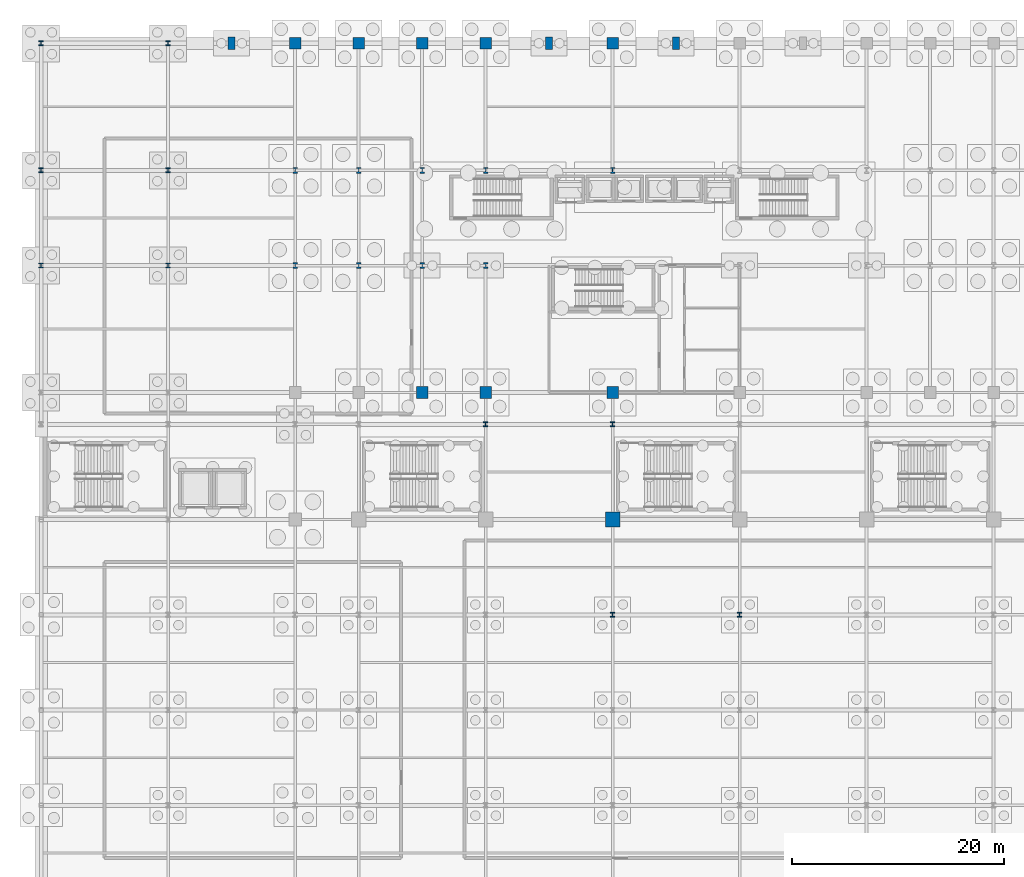
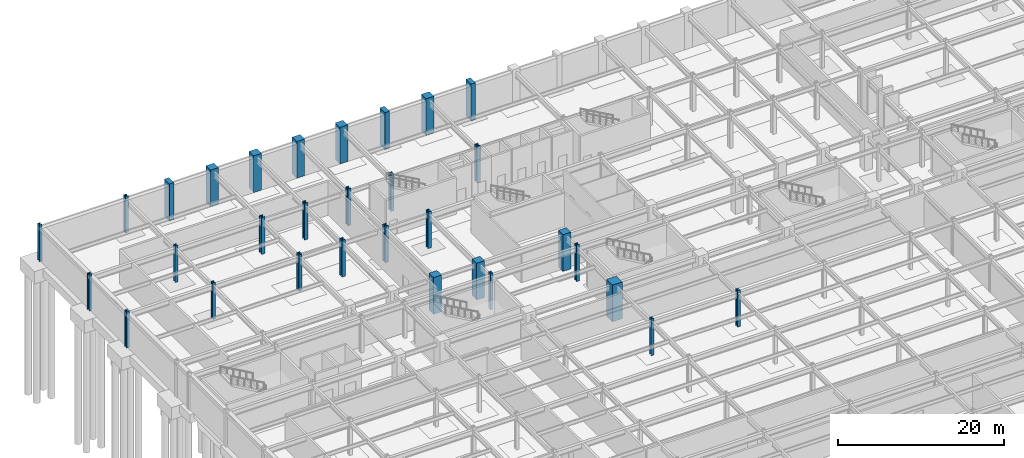
# One storey, part 14 of 47: 31 columns.
"""IFC4 building model written with IfcOpenShell, lengths in metres."""

from ifc_helpers import new_model, si_unit, direction, frame, origin, origin_2d, place, context, subcontext, project, spatial, rectangle, i_section, extrude, material, material_profile, profile_set, type_object, element, save


model = new_model("IFC4")

# Units and contexts
model_context = context("Model", 3, precision=1e-05, world=origin(), true_north=direction((0.0, 1.0)))
body_context = subcontext(model_context, "Body", "Model", "MODEL_VIEW")
ifc_project = project(units=[si_unit("LENGTHUNIT", "METRE"), si_unit("AREAUNIT", "SQUARE_METRE"), si_unit("VOLUMEUNIT", "CUBIC_METRE"), si_unit("PLANEANGLEUNIT", "RADIAN"), si_unit("MASSUNIT", "GRAM", prefix="KILO")], contexts=[model_context])

# Site, building, storey
site_placement = place(None, origin())
site = spatial("IfcSite", under=ifc_project, at=site_placement, CompositionType="ELEMENT")
building_placement = place(site_placement, origin())
building = spatial("IfcBuilding", under=site, at=building_placement, Name="Kaldorvane Square Convention Centre", CompositionType="ELEMENT")
storey_placement = place(building_placement, frame((0.0, 0.0, -5.399993896484375)))
storey = spatial("IfcBuildingStorey", under=building, at=storey_placement, Name="B01", CompositionType="ELEMENT", Elevation=-5.399993896484375)

# Columns
ifc_material_1 = material(Name="Concrete f'c = 55 MPa (Normalweight)", Category="concrete")
ifc_material_profile_1 = material_profile(ifc_material_1, rectangle(XDim=1.399993896484375, YDim=1.399993896484375, at=origin_2d()), Name="RC1400X1400")
ifc_profile_set_1 = profile_set([ifc_material_profile_1], Name="Concrete f'c = 55 MPa (Normalweight)")
column_type_1 = type_object("IfcColumnType", Name="COL-MEGA-1400", PredefinedType="COLUMN", material=ifc_profile_set_1)
column_placement = place(storey_placement, frame((54.0, 72.0, 0.0), z_axis=(0.0, 0.0, 1.0), x_axis=(1.0, 0.0, 0.0)))
element("IfcColumn", 1, at=column_placement, inside=storey, type_object=column_type_1, Name="Column MC-01 (B01)", PredefinedType="COLUMN", context=body_context, shape_type="SweptSolid", body=[
    extrude(rectangle(XDim=1.399993896484375, YDim=1.399993896484375, at=origin_2d()), origin(), (0.0, 0.0, 1.0), 5.399993896484375),
])
ifc_material_profile_2 = material_profile(ifc_material_1, rectangle(XDim=1.100006103515625, YDim=1.100006103515625, at=origin_2d()), Name="RC1100X1100")
ifc_profile_set_2 = profile_set([ifc_material_profile_2], Name="Concrete f'c = 55 MPa (Normalweight)")
column_type_2 = type_object("IfcColumnType", Name="COL-RC-1100", PredefinedType="COLUMN", material=ifc_profile_set_2)
for number, where, z_axis, x_axis, name in (
    (2, (24.0, 117.0, 0.0), (0.0, 0.0, 1.0), (1.0, 0.0, 0.0), "Column CC-01 (B01)"),
    (3, (30.0, 117.0, 0.0), (0.0, 0.0, 1.0), (1.0, 0.0, 0.0), "Column CC-01 (B01)"),
    (4, (36.0, 84.0, 0.0), (0.0, 0.0, 1.0), (1.0, 0.0, 0.0), "Column CC-01 (B01)"),
    (5, (36.0, 117.0, 0.0), (0.0, 0.0, 1.0), (1.0, 0.0, 0.0), "Column CC-01 (B01)"),
    (6, (42.0, 84.0, 0.0), (0.0, 0.0, 1.0), (1.0, 0.0, 0.0), "Column CC-01 (B01)"),
    (7, (42.0, 117.0, 0.0), (0.0, 0.0, 1.0), (1.0, 0.0, 0.0), "Column CC-01 (B01)"),
    (8, (54.0, 84.0, 0.0), (0.0, 0.0, 1.0), (1.0, 0.0, 0.0), "Column CC-01 (B01)"),
    (9, (54.0, 117.0, 0.0), (0.0, 0.0, 1.0), (1.0, 0.0, 0.0), "Column CC-01 (B01)"),
):
    element("IfcColumn", number, at=place(storey_placement, frame(where, z_axis=z_axis, x_axis=x_axis)), inside=storey, type_object=column_type_2, Name=name, PredefinedType="COLUMN", context=body_context, shape_type="SweptSolid", body=[
        extrude(rectangle(XDim=1.100006103515625, YDim=1.100006103515625, at=origin_2d()), origin(), (0.0, 0.0, 1.0), 5.399993896484375),
    ])
ifc_material_2 = material(Name="Steel ASTM A992 Gr. 50", Category="steel")
ifc_material_profile_3 = material_profile(ifc_material_2, i_section(OverallWidth=0.412200927734375, OverallDepth=0.4347991943359375, WebThickness=0.035797119140625, FlangeThickness=0.057403564453125, FilletRadius=0.0305023193359375, at=origin_2d()), Name="W14X311")
ifc_profile_set_3 = profile_set([ifc_material_profile_3], Name="Steel ASTM A992 Gr. 50")
column_type_3 = type_object("IfcColumnType", Name="COL-STL-311", PredefinedType="COLUMN", material=ifc_profile_set_3)
for number, where, z_axis, x_axis, name in (
    (10, (0.0, 96.0, 0.0), (0.0, 0.0, 1.0), (1.0, 0.0, 0.0), "Column SC-06 (B01)"),
    (11, (0.0, 105.0, 0.0), (0.0, 0.0, 1.0), (1.0, 0.0, 0.0), "Column SC-06 (B01)"),
    (12, (0.0, 117.0, 0.0), (0.0, 0.0, 1.0), (1.0, 0.0, 0.0), "Column SC-06 (B01)"),
    (13, (12.0, 96.0, 0.0), (0.0, 0.0, 1.0), (1.0, 0.0, 0.0), "Column SC-06 (B01)"),
    (14, (12.0, 105.0, 0.0), (0.0, 0.0, 1.0), (1.0, 0.0, 0.0), "Column SC-06 (B01)"),
    (15, (12.0, 117.0, 0.0), (0.0, 0.0, 1.0), (1.0, 0.0, 0.0), "Column SC-06 (B01)"),
    (16, (42.0, 81.0, 0.0), (0.0, 0.0, 1.0), (1.0, 0.0, 0.0), "Column SC-06 (B01)"),
    (17, (54.0, 63.0, 0.0), (0.0, 0.0, 1.0), (1.0, 0.0, 0.0), "Column SC-06 (B01)"),
    (18, (54.0, 81.0, 0.0), (0.0, 0.0, 1.0), (1.0, 0.0, 0.0), "Column SC-06 (B01)"),
    (19, (66.0, 63.0, 0.0), (0.0, 0.0, 1.0), (1.0, 0.0, 0.0), "Column SC-06 (B01)"),
):
    element("IfcColumn", number, at=place(storey_placement, frame(where, z_axis=z_axis, x_axis=x_axis)), inside=storey, type_object=column_type_3, Name=name, PredefinedType="COLUMN", context=body_context, shape_type="SweptSolid", body=[
        extrude(i_section(OverallWidth=0.412200927734375, OverallDepth=0.4347991943359375, WebThickness=0.035797119140625, FlangeThickness=0.057403564453125, FilletRadius=0.0305023193359375, at=origin_2d()), origin(), (0.0, 0.0, 1.0), 5.399993896484375),
    ])
ifc_material_profile_4 = material_profile(ifc_material_2, i_section(OverallWidth=0.45440673828125, OverallDepth=0.569000244140625, WebThickness=0.0780029296875, FlangeThickness=0.12469482421875, FilletRadius=0.0305023193359375, at=origin_2d()), Name="W14X730")
ifc_profile_set_4 = profile_set([ifc_material_profile_4], Name="Steel ASTM A992 Gr. 50")
column_type_4 = type_object("IfcColumnType", Name="COL-STL-730", PredefinedType="COLUMN", material=ifc_profile_set_4)
for number, where, z_axis, x_axis, name in (
    (20, (24.0, 96.0, 0.0), (0.0, 0.0, 1.0), (1.0, 0.0, 0.0), "Column SC-01 (B01)"),
    (21, (24.0, 105.0, 0.0), (0.0, 0.0, 1.0), (1.0, 0.0, 0.0), "Column SC-01 (B01)"),
    (22, (30.0, 96.0, 0.0), (0.0, 0.0, 1.0), (1.0, 0.0, 0.0), "Column SC-01 (B01)"),
    (23, (30.0, 105.0, 0.0), (0.0, 0.0, 1.0), (1.0, 0.0, 0.0), "Column SC-01 (B01)"),
    (24, (36.0, 96.0, 0.0), (0.0, 0.0, 1.0), (1.0, 0.0, 0.0), "Column SC-01 (B01)"),
    (25, (36.0, 105.0, 0.0), (0.0, 0.0, 1.0), (1.0, 0.0, 0.0), "Column SC-01 (B01)"),
    (26, (42.0, 96.0, 0.0), (0.0, 0.0, 1.0), (1.0, 0.0, 0.0), "Column SC-01 (B01)"),
    (27, (42.0, 105.0, 0.0), (0.0, 0.0, 1.0), (1.0, 0.0, 0.0), "Column SC-01 (B01)"),
    (28, (54.0, 105.0, 0.0), (0.0, 0.0, 1.0), (1.0, 0.0, 0.0), "Column SC-01 (B01)"),
):
    element("IfcColumn", number, at=place(storey_placement, frame(where, z_axis=z_axis, x_axis=x_axis)), inside=storey, type_object=column_type_4, Name=name, PredefinedType="COLUMN", context=body_context, shape_type="SweptSolid", body=[
        extrude(i_section(OverallWidth=0.45440673828125, OverallDepth=0.569000244140625, WebThickness=0.0780029296875, FlangeThickness=0.12469482421875, FilletRadius=0.0305023193359375, at=origin_2d()), origin(), (0.0, 0.0, 1.0), 5.399993896484375),
    ])
ifc_material_profile_5 = material_profile(ifc_material_1, rectangle(XDim=0.649993896484375, YDim=1.1999969482421875, at=origin_2d()), Name="PIL1200X650")
ifc_profile_set_5 = profile_set([ifc_material_profile_5], Name="Concrete f'c = 55 MPa (Normalweight)")
column_type_5 = type_object("IfcColumnType", Name="PIL-BRUT-1200", PredefinedType="PILASTER", material=ifc_profile_set_5)
for number, where, z_axis, x_axis, name in (
    (29, (18.0, 117.0, 0.0), (0.0, 0.0, 1.0), (1.0, 0.0, 0.0), "Brutalist Colonnade Pilaster (B01)"),
    (30, (48.0, 117.0, 0.0), (0.0, 0.0, 1.0), (1.0, 0.0, 0.0), "Brutalist Colonnade Pilaster (B01)"),
    (31, (60.0, 117.0, 0.0), (0.0, 0.0, 1.0), (1.0, 0.0, 0.0), "Brutalist Colonnade Pilaster (B01)"),
):
    element("IfcColumn", number, at=place(storey_placement, frame(where, z_axis=z_axis, x_axis=x_axis)), inside=storey, type_object=column_type_5, Name=name, PredefinedType="PILASTER", context=body_context, shape_type="SweptSolid", body=[
        extrude(rectangle(XDim=0.649993896484375, YDim=1.1999969482421875, at=origin_2d()), origin(), (0.0, 0.0, 1.0), 5.399993896484375),
    ])

save(model, "model.ifc")
